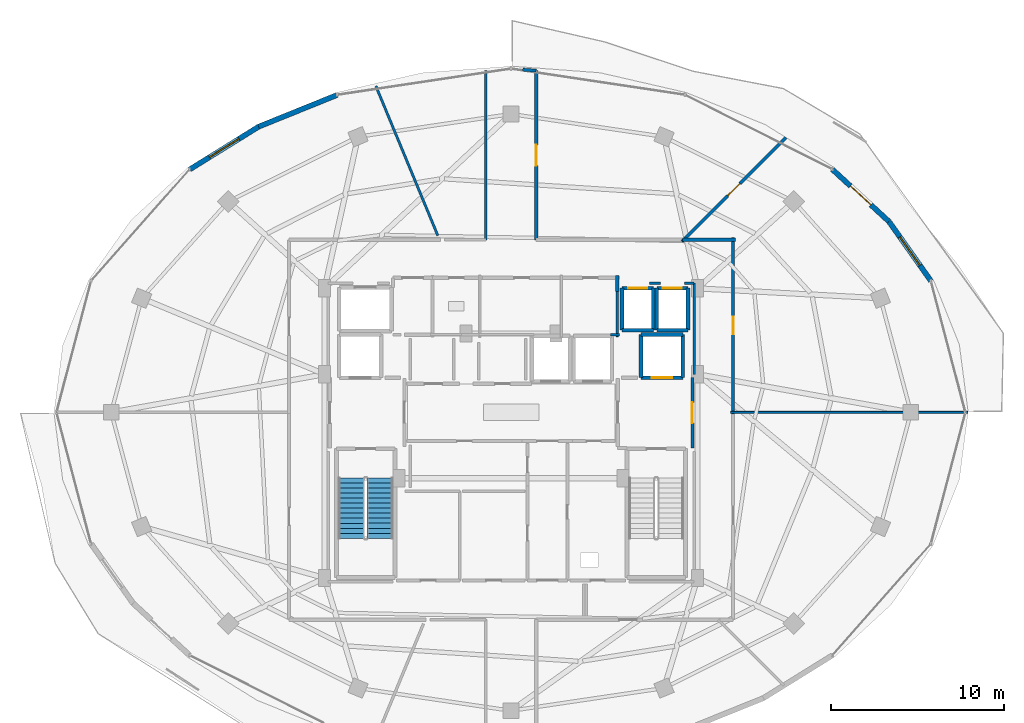
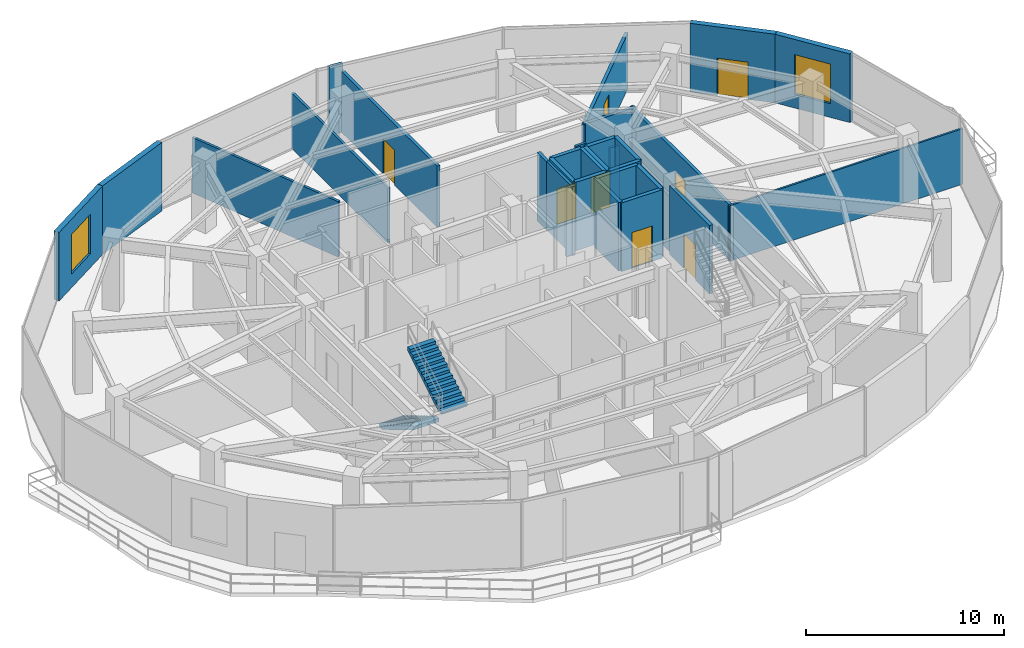
# One storey, part 23 of 27: 31 walls, 8 doors, 2 stair flights, 2 windows, 10 openings, 1 element without a shape of its own.
"""IFC4 building model written with IfcOpenShell, lengths in metres."""

import ifcopenshell
import ifcopenshell.guid

model = None  # the IFC model being written
_history = None  # IfcOwnerHistory: only IFC2X3 demands one
_inside = {}  # id of a spatial element -> (the spatial element, [elements in it])
_under = {}  # id of a project, library or spatial element -> (it, [spatial elements below it])
_declared = {}  # id of a project -> (the project, [libraries it declares])
_typed = {}  # id of a type object -> (the type object, [elements of that type])
_made_of = {}  # id of a material, layer set ... -> (it, [elements and type objects made of it])


def new_model(schema):
    """Start an empty IFC model of exactly this schema.

    Asked for "IFC4X3", IfcOpenShell would pick the latest addendum, in which some entities
    have other attributes; the version numbers below select the first issue.
    IFC2X3 requires an IfcOwnerHistory on every rooted entity: one is made here for all.
    """
    global model, _history
    if schema == "IFC4X3":
        model = ifcopenshell.file(schema_version=(4, 3, 0, 0))
    else:
        model = ifcopenshell.file(schema=schema)
    _inside.clear()
    _under.clear()
    _declared.clear()
    _typed.clear()
    _made_of.clear()
    _history = None
    if model.schema == "IFC2X3":
        org = make("IfcOrganization", Name="unknown")
        user = make(
            "IfcPersonAndOrganization",
            ThePerson=make("IfcPerson", FamilyName="unknown"),
            TheOrganization=org,
        )
        app = make(
            "IfcApplication",
            ApplicationDeveloper=org,
            Version="unknown",
            ApplicationFullName="unknown",
            ApplicationIdentifier="unknown",
        )
        _history = make(
            "IfcOwnerHistory",
            OwningUser=user,
            OwningApplication=app,
            ChangeAction="ADDED",
            CreationDate=0,
        )
    return model


def make(cls, **values):
    """One entity of the class cls with the attributes given. An attribute that is None is left unset."""
    return model.create_entity(
        cls, **{name: value for name, value in values.items() if value is not None}
    )


def rooted(cls, **values):
    """An entity with a GlobalId (a new one), such as an element, a storey or a relation."""
    return make(cls, GlobalId=ifcopenshell.guid.new(), OwnerHistory=_history, **values)


def si_unit(unit_type, name, prefix=None):
    """IfcSIUnit, for example si_unit("LENGTHUNIT", "METRE", prefix="MILLI")."""
    return make("IfcSIUnit", UnitType=unit_type, Prefix=prefix, Name=name)


def assignment(units):
    """IfcUnitAssignment: the units of a project."""
    return None if units is None else make("IfcUnitAssignment", Units=units)


def point(xyz):
    """IfcCartesianPoint."""
    return None if xyz is None else make("IfcCartesianPoint", Coordinates=xyz)


def direction(xyz):
    """IfcDirection."""
    return None if xyz is None else make("IfcDirection", DirectionRatios=xyz)


def frame(location, z_axis=None, x_axis=None):
    """IfcAxis2Placement3D, a coordinate frame: its origin and axes. An axis left out is left unset."""
    return make(
        "IfcAxis2Placement3D",
        Location=point(location),
        Axis=direction(z_axis),
        RefDirection=direction(x_axis),
    )


def frame_2d(location, x_axis=None):
    """IfcAxis2Placement2D, a coordinate frame in the plane: its origin and x axis."""
    return make(
        "IfcAxis2Placement2D", Location=point(location), RefDirection=direction(x_axis)
    )


def origin():
    """The frame at (0, 0, 0) with its axes left unset."""
    return frame((0.0, 0.0, 0.0))


def place(relative_to, where):
    """IfcLocalPlacement: puts the frame where relative to a parent placement (None: the world)."""
    return make(
        "IfcLocalPlacement", PlacementRelTo=relative_to, RelativePlacement=where
    )


def context(
    kind, dimensions, precision=None, world=None, true_north=None, identifier=None
):
    """IfcGeometricRepresentationContext, for example the 3D "Model" context."""
    return make(
        "IfcGeometricRepresentationContext",
        ContextIdentifier=identifier,
        ContextType=kind,
        CoordinateSpaceDimension=dimensions,
        Precision=precision,
        WorldCoordinateSystem=world,
        TrueNorth=true_north,
    )


def subcontext(parent, identifier, kind, view, scale=None):
    """IfcGeometricRepresentationSubContext, for example "Body" below "Model"."""
    return make(
        "IfcGeometricRepresentationSubContext",
        ContextIdentifier=identifier,
        ContextType=kind,
        ParentContext=parent,
        TargetScale=scale,
        TargetView=view,
    )


def project(units=None, contexts=None):
    """IfcProject with its units and contexts."""
    return rooted(
        "IfcProject",
        Name="project",
        RepresentationContexts=contexts,
        UnitsInContext=assignment(units),
    )


def spatial(cls, under=None, at=None, **own):
    """A site, building, storey or space (cls), placed at a placement, below another one or the project."""
    s = rooted(cls, ObjectPlacement=at, **own)
    if under is not None:
        _under.setdefault(under.id(), (under, []))[1].append(s)
    return s


def polyline(points):
    """IfcPolyline through the points."""
    return make("IfcPolyline", Points=[point(p) for p in points])


def profile(cls, at=None, kind="AREA", **sizes):
    """A parametric profile (cls). Its sizes go by their IFC names, for example OverallWidth=200.0."""
    return make(cls, ProfileType=kind, Position=at, **sizes)


def rectangle(**sizes):
    """IfcRectangleProfileDef."""
    return profile("IfcRectangleProfileDef", **sizes)


def outline(outer, holes=None, kind="AREA"):
    """IfcArbitraryClosedProfileDef: a profile drawn as a closed curve; with holes, ...WithVoids."""
    if holes is None:
        return make("IfcArbitraryClosedProfileDef", ProfileType=kind, OuterCurve=outer)
    return make(
        "IfcArbitraryProfileDefWithVoids",
        ProfileType=kind,
        OuterCurve=outer,
        InnerCurves=holes,
    )


def extrude(swept, where, along, depth):
    """IfcExtrudedAreaSolid: the profile swept, set in the frame where, extruded along a direction by depth."""
    return make(
        "IfcExtrudedAreaSolid",
        SweptArea=swept,
        Position=where,
        ExtrudedDirection=direction(along),
        Depth=depth,
    )


def shape(context_of_items, identifier, shape_type, items):
    """IfcShapeRepresentation: the items that make up one representation, for example the "Body"."""
    return make(
        "IfcShapeRepresentation",
        ContextOfItems=context_of_items,
        RepresentationIdentifier=identifier,
        RepresentationType=shape_type,
        Items=items,
    )


def material(Name=None, Category=None):
    """IfcMaterial."""
    return make("IfcMaterial", Name=Name, Category=Category)


def layer(
    of_material, thickness, ventilated=None, Name=None, Category=None, Priority=None
):
    """IfcMaterialLayer: one layer of a wall or slab, of a material (None: an air gap)."""
    return make(
        "IfcMaterialLayer",
        Material=of_material,
        LayerThickness=thickness,
        IsVentilated=ventilated,
        Name=Name,
        Category=Category,
        Priority=Priority,
    )


def layer_set(layers, Name=None):
    """IfcMaterialLayerSet."""
    return make("IfcMaterialLayerSet", MaterialLayers=layers, LayerSetName=Name)


def made_of(thing, what):
    """Note that an element or type object is made of a material, layer set ...; save() writes the relation."""
    if what is not None:
        _made_of.setdefault(what.id(), (what, []))[1].append(thing)
    return thing


def type_object(cls, material=None, **own):
    """A type object (cls), such as IfcWallType, which elements share."""
    return made_of(rooted(cls, **own), material)


def element(
    cls,
    number,
    at=None,
    inside=None,
    cuts=None,
    type_object=None,
    material=None,
    context=None,
    identifier="Body",
    shape_type=None,
    held_by="IfcProductDefinitionShape",
    body=None,
    shapes=None,
    **own,
):
    """One element of the class cls, such as IfcWall. Its Tag is "e" and its number.

    at: its placement. inside: the storey or other place that contains it. cuts: it is an
    opening in that element (IfcRelVoidsElement). A single representation is given by context,
    identifier, shape_type and body (its items); several are given by shapes. held_by: the class
    of the entity that holds the representations. save() writes the other relations.
    """
    e = rooted(cls, Tag="e%d" % number, ObjectPlacement=at, **own)
    if body is not None:
        shapes = [shape(context, identifier, shape_type, body)]
    if shapes is not None:
        e.Representation = make(held_by, Representations=shapes)
    if inside is not None:
        _inside.setdefault(inside.id(), (inside, []))[1].append(e)
    if cuts is not None:
        rooted(
            "IfcRelVoidsElement", RelatingBuildingElement=cuts, RelatedOpeningElement=e
        )
    if type_object is not None:
        _typed.setdefault(type_object.id(), (type_object, []))[1].append(e)
    return made_of(e, material)


def fill(opening, filler):
    """IfcRelFillsElement: the door or window that sits in an opening."""
    return rooted(
        "IfcRelFillsElement",
        RelatingOpeningElement=opening,
        RelatedBuildingElement=filler,
    )


def aggregate(whole, parts):
    """IfcRelAggregates: a whole, such as a stair, and the parts it consists of."""
    return rooted("IfcRelAggregates", RelatingObject=whole, RelatedObjects=parts)


def save(model, path):
    """Write the relations noted so far, then the file.

    IfcRelAggregates (storeys below a building ...), IfcRelContainedInSpatialStructure (elements
    in a storey), IfcRelDefinesByType, IfcRelAssociatesMaterial and IfcRelDeclares: one each for
    every whole, place, type object, material and project.
    """
    for whole, parts in _under.values():
        aggregate(whole, parts)
    for where, things in _inside.values():
        rooted(
            "IfcRelContainedInSpatialStructure",
            RelatedElements=things,
            RelatingStructure=where,
        )
    for kind, things in _typed.values():
        rooted("IfcRelDefinesByType", RelatedObjects=things, RelatingType=kind)
    for what, things in _made_of.values():
        rooted("IfcRelAssociatesMaterial", RelatedObjects=things, RelatingMaterial=what)
    for by, libraries in _declared.values():
        rooted("IfcRelDeclares", RelatingContext=by, RelatedDefinitions=libraries)
    model.write(path)


model = new_model("IFC4")

# Units and contexts
model_context = context("Model", 3, precision=1e-05, world=origin(), true_north=direction((0.0, 1.0)))
body_context = subcontext(model_context, "Body", "Model", "MODEL_VIEW")
ifc_project = project(units=[si_unit("LENGTHUNIT", "METRE"), si_unit("AREAUNIT", "SQUARE_METRE"), si_unit("VOLUMEUNIT", "CUBIC_METRE"), si_unit("PLANEANGLEUNIT", "RADIAN"), si_unit("MASSUNIT", "GRAM", prefix="KILO")], contexts=[model_context])

# Site, building, storey
site_placement = place(None, origin())
site = spatial("IfcSite", under=ifc_project, at=site_placement, CompositionType="ELEMENT")
building_placement = place(site_placement, origin())
building = spatial("IfcBuilding", under=site, at=building_placement, Name="Vorneva Point Tower", CompositionType="ELEMENT")
storey_placement = place(building_placement, frame((0.0, 0.0, 229.75)))
storey = spatial("IfcBuildingStorey", under=building, at=storey_placement, Name="L62", CompositionType="ELEMENT", Elevation=229.75)

# Wall, opening, door
ifc_material_1 = material(Name="Concrete B60 (C50/60)", Category="concrete")
ifc_layer_1 = layer(ifc_material_1, 0.35009765625)
ifc_layer_set_1 = layer_set([ifc_layer_1], Name="Concrete B60 (C50/60)")
wall_type_1 = type_object("IfcWallType", Name="WL-CORE-350", PredefinedType="SHEAR", material=ifc_layer_set_1)
wall_1_placement = place(storey_placement, frame((45.5, 28.0, 0.0), z_axis=(0.0, 0.0, 1.0), x_axis=(1.0, 0.0, 0.0)))
wall_1 = element("IfcWall", 1, at=wall_1_placement, inside=storey, type_object=wall_type_1, Name="L62 Lift FFL2 Shaft Wall -Y", PredefinedType="SHEAR", context=body_context, shape_type="SweptSolid", body=[
    extrude(rectangle(XDim=2.39990234375, YDim=0.219970703125, at=frame_2d((1.199951171875, 0.0))), origin(), (0.0, 0.0, 1.0), 4.239990234375),
])
opening_1_placement = place(wall_1_placement, frame((0.60009765625, 0.0, 0.0)))
opening_1 = element("IfcOpeningElement", 2, at=opening_1_placement, cuts=wall_1, Name="Opening LD-02", PredefinedType="OPENING", context=body_context, shape_type="SweptSolid", body=[
    extrude(rectangle(XDim=1.199951171875, YDim=2.199951171875, at=frame_2d((0.60009765625, 1.10009765625))), frame((0.0, 0.125, 0.0), z_axis=(0.0, -1.0, 0.0), x_axis=(1.0, 0.0, 0.0)), (0.0, 0.0, 1.0), 0.249755859375),
])
ifc_material_2 = material(Name="Brushed stainless steel S304", Category="steel")
door_type_1 = type_object("IfcDoorType", Name="LD-FIRE-1200", OperationType="SLIDING_TO_LEFT", PredefinedType="DOOR", material=ifc_material_2)
door_1_placement = place(opening_1_placement, origin())
door_1 = element("IfcDoor", 3, at=door_1_placement, inside=storey, type_object=door_type_1, Name="L62 Lift FFL2 Sliding Landing Door", OperationType="SLIDING_TO_LEFT", OverallHeight=2.199951171875, OverallWidth=1.199951171875, PredefinedType="DOOR", context=body_context, shape_type="SweptSolid", body=[
    extrude(rectangle(XDim=1.199951171875, YDim=2.199951171875, at=frame_2d((0.60009765625, 1.10009765625))), frame((0.0, 0.02490234375, 0.0), z_axis=(0.0, -1.0, 0.0), x_axis=(1.0, 0.0, 0.0)), (0.0, 0.0, 1.0), 0.050048828125),
])
fill(opening_1, door_1)

# Walls
wall_2_placement = place(storey_placement, frame((47.89990234375, 28.0, 0.0), z_axis=(0.0, 0.0, 1.0), x_axis=(0.0, 1.0, 0.0)))
element("IfcWall", 4, at=wall_2_placement, inside=storey, type_object=wall_type_1, Name="L62 Lift FFL2 Shaft Wall +X", PredefinedType="SHEAR", context=body_context, shape_type="SweptSolid", body=[
    extrude(rectangle(XDim=2.5, YDim=0.219970703125, at=frame_2d((1.25, 0.0))), origin(), (0.0, 0.0, 1.0), 4.239990234375),
])
wall_3_placement = place(storey_placement, frame((47.89990234375, 30.5, 0.0), z_axis=(0.0, 0.0, 1.0), x_axis=(-1.0, 0.0, 0.0)))
element("IfcWall", 5, at=wall_3_placement, inside=storey, type_object=wall_type_1, Name="L62 Lift FFL2 Shaft Wall +Y", PredefinedType="SHEAR", context=body_context, shape_type="SweptSolid", body=[
    extrude(rectangle(XDim=2.39990234375, YDim=0.219970703125, at=frame_2d((1.199951171875, 0.0))), origin(), (0.0, 0.0, 1.0), 4.239990234375),
])
wall_4_placement = place(storey_placement, frame((45.5, 30.5, 0.0), z_axis=(0.0, 0.0, 1.0), x_axis=(0.0, -1.0, 0.0)))
element("IfcWall", 6, at=wall_4_placement, inside=storey, type_object=wall_type_1, Name="L62 Lift FFL2 Shaft Wall -X", PredefinedType="SHEAR", context=body_context, shape_type="SweptSolid", body=[
    extrude(rectangle(XDim=2.5, YDim=0.219970703125, at=frame_2d((1.25, 0.0))), origin(), (0.0, 0.0, 1.0), 4.239990234375),
])

# Wall, opening, window
ifc_material_3 = material(Name="Precast concrete B50 (C40/50)", Category="concrete")
ifc_layer_2 = layer(ifc_material_3, 0.300048828125)
ifc_layer_set_2 = layer_set([ifc_layer_2], Name="Precast concrete B50 (C40/50)")
wall_type_2 = type_object("IfcWallType", Name="WL-EXT-300", PredefinedType="STANDARD", material=ifc_layer_set_2)
wall_5_placement = place(storey_placement, frame((62.20556640625, 33.5810546875, 0.0), z_axis=(0.0, 0.0, 1.0), x_axis=(-0.577261247247, 0.816559521668, 0.0)))
wall_5 = element("IfcWall", 7, at=wall_5_placement, inside=storey, type_object=wall_type_2, Name="L62 Pale-Metal Facade Spandrel Wall 02.1", PredefinedType="STANDARD", context=body_context, shape_type="SweptSolid", body=[
    extrude(rectangle(XDim=4.194091796875, YDim=0.300048828125, at=frame_2d((2.09716796875, 0.0))), origin(), (0.0, 0.0, 1.0), 4.239990234375),
])
opening_2_placement = place(wall_5_placement, frame((1.09716796875, 0.0, 0.85009765625)))
opening_2 = element("IfcOpeningElement", 8, at=opening_2_placement, cuts=wall_5, Name="Opening W-07", PredefinedType="OPENING", context=body_context, shape_type="SweptSolid", body=[
    extrude(rectangle(XDim=2.0, YDim=2.449951171875, at=frame_2d((1.0, 1.22509765625))), frame((0.0, 0.1650390625, 0.0), z_axis=(0.0, -1.0, 0.0), x_axis=(1.0, 0.0, 0.0)), (0.0, 0.0, 1.0), 0.329833984375),
])
ifc_material_4 = material(Name="Double low-e laminated glass IGU", Category="glass")
window_type = type_object("IfcWindowType", Name="WN-SKY-2000", PartitioningType="SINGLE_PANEL", PredefinedType="WINDOW", material=ifc_material_4)
window_1_placement = place(opening_2_placement, origin())
window_1 = element("IfcWindow", 9, at=window_1_placement, inside=storey, type_object=window_type, Name="L62 Facade Window 02", OverallHeight=2.449951171875, OverallWidth=2.0, PartitioningType="SINGLE_PANEL", PredefinedType="WINDOW", context=body_context, shape_type="SweptSolid", body=[
    extrude(rectangle(XDim=2.0, YDim=2.449951171875, at=frame_2d((1.0, 1.22509765625))), frame((0.0, 0.030029296875, 0.0), z_axis=(0.0, -1.0, 0.0), x_axis=(1.0, 0.0, 0.0)), (0.0, 0.0, 1.0), 0.06005859375),
])
fill(opening_2, window_1)

# Wall, opening, door
wall_6_placement = place(storey_placement, frame((59.784423828125, 37.005859375, 0.0), z_axis=(0.0, 0.0, 1.0), x_axis=(-0.735445373611, 0.677584018727, 0.0)))
wall_6 = element("IfcWall", 10, at=wall_6_placement, inside=storey, type_object=wall_type_2, Name="L62 Pale-Metal Facade Spandrel Wall 02.2", PredefinedType="STANDARD", context=body_context, shape_type="SweptSolid", body=[
    extrude(rectangle(XDim=4.430419921875, YDim=0.300048828125, at=frame_2d((2.21533203125, 0.0))), origin(), (0.0, 0.0, 1.0), 4.239990234375),
])
opening_3_placement = place(wall_6_placement, frame((1.415283203125, 0.0, 0.0)))
opening_3 = element("IfcOpeningElement", 11, at=opening_3_placement, cuts=wall_6, Name="Opening BD-01", PredefinedType="OPENING", context=body_context, shape_type="SweptSolid", body=[
    extrude(rectangle(XDim=1.60009765625, YDim=2.300048828125, at=frame_2d((0.800048828125, 1.14990234375))), frame((0.0, 0.1650390625, 0.0), z_axis=(0.0, -1.0, 0.0), x_axis=(1.0, 0.0, 0.0)), (0.0, 0.0, 1.0), 0.329833984375),
])
ifc_material_5 = material(Name="Pale anodised aluminium", Category="aluminium")
door_type_2 = type_object("IfcDoorType", Name="DR-BAL-1600", OperationType="SLIDING_TO_LEFT", PredefinedType="DOOR", material=ifc_material_5)
door_2_placement = place(opening_3_placement, origin())
door_2 = element("IfcDoor", 12, at=door_2_placement, inside=storey, type_object=door_type_2, Name="L62 Balcony Terrace Access Door 02", OperationType="SLIDING_TO_LEFT", OverallHeight=2.300048828125, OverallWidth=1.60009765625, PredefinedType="DOOR", context=body_context, shape_type="SweptSolid", body=[
    extrude(rectangle(XDim=1.60009765625, YDim=2.300048828125, at=frame_2d((0.800048828125, 1.14990234375))), frame((0.0, 0.02490234375, 0.0), z_axis=(0.0, -1.0, 0.0), x_axis=(1.0, 0.0, 0.0)), (0.0, 0.0, 1.0), 0.050048828125),
])
fill(opening_3, door_2)

# Wall
wall_7_placement = place(storey_placement, frame((27.9736328125, 44.302001953125, 0.0), z_axis=(0.0, 0.0, 1.0), x_axis=(-0.927147375511, -0.374696869594, 0.0)))
element("IfcWall", 13, at=wall_7_placement, inside=storey, type_object=wall_type_2, Name="L62 Pale-Metal Facade Spandrel Wall 06.1", PredefinedType="STANDARD", context=body_context, shape_type="SweptSolid", body=[
    extrude(rectangle(XDim=4.885498046875, YDim=0.300048828125, at=frame_2d((2.44287109375, 0.0))), origin(), (0.0, 0.0, 1.0), 4.239990234375),
])

# Wall, opening, window
wall_8_placement = place(storey_placement, frame((23.444091796875, 42.471435546875, 0.0), z_axis=(0.0, 0.0, 1.0), x_axis=(-0.849702323036, -0.527262707032, 0.0)))
wall_8 = element("IfcWall", 14, at=wall_8_placement, inside=storey, type_object=wall_type_2, Name="L62 Pale-Metal Facade Spandrel Wall 06.2", PredefinedType="STANDARD", context=body_context, shape_type="SweptSolid", body=[
    extrude(rectangle(XDim=4.67236328125, YDim=0.300048828125, at=frame_2d((2.336181640625, 0.0))), origin(), (0.0, 0.0, 1.0), 4.239990234375),
])
opening_4_placement = place(wall_8_placement, frame((1.336181640625, 0.0, 0.85009765625)))
opening_4 = element("IfcOpeningElement", 15, at=opening_4_placement, cuts=wall_8, Name="Opening W-07", PredefinedType="OPENING", context=body_context, shape_type="SweptSolid", body=[
    extrude(rectangle(XDim=2.0, YDim=2.449951171875, at=frame_2d((1.0, 1.22509765625))), frame((0.0, 0.1650390625, 0.0), z_axis=(0.0, -1.0, 0.0), x_axis=(1.0, 0.0, 0.0)), (0.0, 0.0, 1.0), 0.329833984375),
])
window_2_placement = place(opening_4_placement, origin())
window_2 = element("IfcWindow", 16, at=window_2_placement, inside=storey, type_object=window_type, Name="L62 Facade Window 06", OverallHeight=2.449951171875, OverallWidth=2.0, PartitioningType="SINGLE_PANEL", PredefinedType="WINDOW", context=body_context, shape_type="SweptSolid", body=[
    extrude(rectangle(XDim=2.0, YDim=2.449951171875, at=frame_2d((1.0, 1.22509765625))), frame((0.0, 0.030029296875, 0.0), z_axis=(0.0, -1.0, 0.0), x_axis=(1.0, 0.0, 0.0)), (0.0, 0.0, 1.0), 0.06005859375),
])
fill(opening_4, window_2)

# Walls
ifc_material_6 = material(Name="Fire-rated acoustic gypsum stud partition", Category="gypsum")
ifc_layer_3 = layer(ifc_material_6, 0.110107421875)
ifc_layer_set_3 = layer_set([ifc_layer_3], Name="Fire-rated acoustic gypsum stud partition")
wall_type_3 = type_object("IfcWallType", Name="WL-PART-110", PredefinedType="PARTITIONING", material=ifc_layer_set_3)
wall_9_placement = place(storey_placement, frame((64.339111328125, 26.0, 0.0), z_axis=(0.0, 0.0, 1.0), x_axis=(-1.0, 0.0, 0.0)))
element("IfcWall", 17, at=wall_9_placement, inside=storey, type_object=wall_type_3, Name="L62 Interior Partition 050", PredefinedType="PARTITIONING", context=body_context, shape_type="SweptSolid", body=[
    extrude(rectangle(XDim=13.67919921875, YDim=0.110107421875, at=frame_2d((6.839599609375, 0.0))), origin(), (0.0, 0.0, 1.0), 3.431884765625),
])
ifc_layer_4 = layer(ifc_material_6, 0.139892578125)
ifc_layer_set_4 = layer_set([ifc_layer_4], Name="Fire-rated acoustic gypsum stud partition")
wall_type_4 = type_object("IfcWallType", Name="WL-PART-140", PredefinedType="PARTITIONING", material=ifc_layer_set_4)
wall_10_placement = place(storey_placement, frame((43.735107421875, 30.47998046875, 0.0), z_axis=(0.0, 0.0, 1.0), x_axis=(1.0, 0.0, 0.0)))
element("IfcWall", 18, at=wall_10_placement, inside=storey, type_object=wall_type_4, Name="L62 Interior Closure Partition 055", PredefinedType="PARTITIONING", context=body_context, shape_type="SweptSolid", body=[
    extrude(rectangle(XDim=0.52490234375, YDim=0.139892578125, at=frame_2d((0.262451171875, 0.0))), origin(), (0.0, 0.0, 1.0), 4.239990234375),
])
wall_11_placement = place(storey_placement, frame((44.1201171875, 30.340087890625, 0.0), z_axis=(0.0, 0.0, 1.0), x_axis=(0.0, 1.0, 0.0)))
element("IfcWall", 19, at=wall_11_placement, inside=storey, type_object=wall_type_4, Name="L62 Interior Closure Partition 056", PredefinedType="PARTITIONING", context=body_context, shape_type="SweptSolid", body=[
    extrude(rectangle(XDim=2.659912109375, YDim=0.139892578125, at=frame_2d((1.330078125, 0.0))), origin(), (0.0, 0.0, 1.0), 4.239990234375),
])
wall_12_placement = place(storey_placement, frame((36.550048828125, 45.700927734375, 0.0), z_axis=(0.0, 0.0, 1.0), x_axis=(0.0, -1.0, 0.0)))
element("IfcWall", 20, at=wall_12_placement, inside=storey, type_object=wall_type_4, Name="L62 Interior Closure Partition 062", PredefinedType="PARTITIONING", context=body_context, shape_type="SweptSolid", body=[
    extrude(rectangle(XDim=9.7509765625, YDim=0.139892578125, at=frame_2d((4.87548828125, 0.0))), origin(), (0.0, 0.0, 1.0), 3.431884765625),
])
wall_13_placement = place(storey_placement, frame((48.550048828125, 28.196044921875, 0.0), z_axis=(0.0, 0.0, 1.0), x_axis=(0.0, 1.0, 0.0)))
element("IfcWall", 21, at=wall_13_placement, inside=storey, type_object=wall_type_4, Name="L62 Interior Closure Partition 069", PredefinedType="PARTITIONING", context=body_context, shape_type="SweptSolid", body=[
    extrude(rectangle(XDim=5.25390625, YDim=0.139892578125, at=frame_2d((2.626953125, 0.0))), origin(), (0.0, 0.0, 1.0), 3.431884765625),
])
wall_14_placement = place(storey_placement, frame((48.550048828125, 33.449951171875, 0.0), z_axis=(0.0, 0.0, 1.0), x_axis=(-1.0, 0.0, 0.0)))
element("IfcWall", 22, at=wall_14_placement, inside=storey, type_object=wall_type_4, Name="L62 Interior Closure Partition 070", PredefinedType="PARTITIONING", context=body_context, shape_type="SweptSolid", body=[
    extrude(rectangle(XDim=0.55908203125, YDim=0.139892578125, at=frame_2d((0.279541015625, 0.0))), origin(), (0.0, 0.0, 1.0), 3.431884765625),
])
wall_15_placement = place(storey_placement, frame((46.60888671875, 33.449951171875, 0.0), z_axis=(0.0, 0.0, 1.0), x_axis=(-1.0, 0.0, 0.0)))
element("IfcWall", 23, at=wall_15_placement, inside=storey, type_object=wall_type_4, Name="L62 Interior Closure Partition 071", PredefinedType="PARTITIONING", context=body_context, shape_type="SweptSolid", body=[
    extrude(rectangle(XDim=0.617919921875, YDim=0.139892578125, at=frame_2d((0.30908203125, 0.0))), origin(), (0.0, 0.0, 1.0), 4.239990234375),
])
wall_16_placement = place(storey_placement, frame((33.779052734375, 36.19091796875, 0.0), z_axis=(0.0, 0.0, 1.0), x_axis=(-0.382742241568, 0.923855170749, 0.0)))
element("IfcWall", 24, at=wall_16_placement, inside=storey, type_object=wall_type_4, Name="L62 Interior Closure Partition 078", PredefinedType="PARTITIONING", context=body_context, shape_type="SweptSolid", body=[
    extrude(rectangle(XDim=9.332763671875, YDim=0.139892578125, at=frame_2d((4.66650390625, 0.0))), origin(), (0.0, 0.0, 1.0), 3.431884765625),
])

# Wall, opening, door
ifc_material_7 = material(Name="Autoclaved aerated concrete blockwork", Category="masonry")
ifc_layer_5 = layer(ifc_material_7, 0.179931640625)
ifc_layer_set_5 = layer_set([ifc_layer_5], Name="Autoclaved aerated concrete blockwork")
wall_type_5 = type_object("IfcWallType", Name="WL-PART-180", PredefinedType="PARTITIONING", material=ifc_layer_set_5)
wall_17_placement = place(storey_placement, frame((48.449951171875, 23.949951171875, 0.0), z_axis=(0.0, 0.0, 1.0), x_axis=(0.0, 1.0, 0.0)))
wall_17 = element("IfcWall", 25, at=wall_17_placement, inside=storey, type_object=wall_type_5, Name="L62 Interior Partition 005", PredefinedType="PARTITIONING", context=body_context, shape_type="SweptSolid", body=[
    extrude(rectangle(XDim=4.050048828125, YDim=0.179931640625, at=frame_2d((2.02490234375, 0.0))), origin(), (0.0, 0.0, 1.0), 4.239990234375),
])
opening_5_placement = place(wall_17_placement, frame((1.425048828125, 0.0, 0.0)))
opening_5 = element("IfcOpeningElement", 26, at=opening_5_placement, cuts=wall_17, Name="Opening FD-02", PredefinedType="OPENING", context=body_context, shape_type="SweptSolid", body=[
    extrude(rectangle(XDim=1.199951171875, YDim=2.14990234375, at=frame_2d((0.60009765625, 1.074951171875))), frame((0.0, 0.10498046875, 0.0), z_axis=(0.0, -1.0, 0.0), x_axis=(1.0, 0.0, 0.0)), (0.0, 0.0, 1.0), 0.209716796875),
])
ifc_material_8 = material(Name="Fire-rated powder-coated steel", Category="steel")
door_type_3 = type_object("IfcDoorType", Name="DR-FFL-1200", OperationType="NOTDEFINED", PredefinedType="DOOR", material=ifc_material_8)
door_3_placement = place(opening_5_placement, origin())
door_3 = element("IfcDoor", 27, at=door_3_placement, inside=storey, type_object=door_type_3, Name="L62 Door East Firefighting Lobby / L62 Circulation Corridor", OperationType="SINGLE_SWING_LEFT", OverallHeight=2.14990234375, OverallWidth=1.199951171875, PredefinedType="DOOR", context=body_context, shape_type="SweptSolid", body=[
    extrude(rectangle(XDim=1.199951171875, YDim=2.14990234375, at=frame_2d((0.60009765625, 1.074951171875))), frame((0.0, 0.02490234375, 0.0), z_axis=(0.0, -1.0, 0.0), x_axis=(1.0, 0.0, 0.0)), (0.0, 0.0, 1.0), 0.050048828125),
])
fill(opening_5, door_3)

# Walls
wall_18_placement = place(storey_placement, frame((44.1201171875, 32.969970703125, 0.0), z_axis=(0.0, 0.0, 1.0), x_axis=(0.0, 1.0, 0.0)))
element("IfcWall", 28, at=wall_18_placement, inside=storey, type_object=wall_type_5, Name="L62 Interior Partition 027", PredefinedType="PARTITIONING", context=body_context, shape_type="SweptSolid", body=[
    extrude(rectangle(XDim=0.929931640625, YDim=0.179931640625, at=frame_2d((0.46484375, 0.0))), origin(), (0.0, 0.0, 1.0), 4.239990234375),
])
wall_19_placement = place(storey_placement, frame((39.449951171875, 45.700927734375, 0.0), z_axis=(0.0, 0.0, 1.0), x_axis=(-0.997136622012, 0.0756211415, 0.0)))
element("IfcWall", 29, at=wall_19_placement, inside=storey, type_object=wall_type_5, Name="L62 Interior Partition 033", PredefinedType="PARTITIONING", context=body_context, shape_type="SweptSolid", body=[
    extrude(rectangle(XDim=0.78125, YDim=0.179931640625, at=frame_2d((0.390625, 0.0))), origin(), (0.0, 0.0, 1.0), 4.239990234375),
])

# Wall, opening, door
wall_20_placement = place(storey_placement, frame((39.449951171875, 35.949951171875, 0.0), z_axis=(0.0, 0.0, 1.0), x_axis=(0.0, 1.0, 0.0)))
wall_20 = element("IfcWall", 30, at=wall_20_placement, inside=storey, type_object=wall_type_5, Name="L62 Interior Partition 035", PredefinedType="PARTITIONING", context=body_context, shape_type="SweptSolid", body=[
    extrude(rectangle(XDim=9.7509765625, YDim=0.179931640625, at=frame_2d((4.87548828125, 0.0))), origin(), (0.0, 0.0, 1.0), 3.77392578125),
])
opening_6_placement = place(wall_20_placement, frame((4.275390625, 0.0, 0.0)))
opening_6 = element("IfcOpeningElement", 31, at=opening_6_placement, cuts=wall_20, Name="Opening FD-02", PredefinedType="OPENING", context=body_context, shape_type="SweptSolid", body=[
    extrude(rectangle(XDim=1.199951171875, YDim=2.14990234375, at=frame_2d((0.60009765625, 1.074951171875))), frame((0.0, 0.10498046875, 0.0), z_axis=(0.0, -1.0, 0.0), x_axis=(1.0, 0.0, 0.0)), (0.0, 0.0, 1.0), 0.209716796875),
])
door_4_placement = place(opening_6_placement, origin())
door_4 = element("IfcDoor", 32, at=door_4_placement, inside=storey, type_object=door_type_3, Name="L62 Door L62 Circulation Corridor / Transfer Sky Lobby L62", OperationType="SINGLE_SWING_RIGHT", OverallHeight=2.14990234375, OverallWidth=1.199951171875, PredefinedType="DOOR", context=body_context, shape_type="SweptSolid", body=[
    extrude(rectangle(XDim=1.199951171875, YDim=2.14990234375, at=frame_2d((0.60009765625, 1.074951171875))), frame((0.0, 0.02490234375, 0.0), z_axis=(0.0, -1.0, 0.0), x_axis=(1.0, 0.0, 0.0)), (0.0, 0.0, 1.0), 0.050048828125),
])
fill(opening_6, door_4)

wall_21_placement = place(storey_placement, frame((50.800048828125, 25.919921875, 0.0), z_axis=(0.0, 0.0, 1.0), x_axis=(0.0, 1.0, 0.0)))
wall_21 = element("IfcWall", 33, at=wall_21_placement, inside=storey, type_object=wall_type_5, Name="L62 Interior Partition 045", PredefinedType="PARTITIONING", context=body_context, shape_type="SweptSolid", body=[
    extrude(rectangle(XDim=10.170166015625, YDim=0.179931640625, at=frame_2d((5.0849609375, 0.0))), origin(), (0.0, 0.0, 1.0), 3.431884765625),
])
opening_7_placement = place(wall_21_placement, frame((4.5849609375, 0.0, 0.0)))
opening_7 = element("IfcOpeningElement", 34, at=opening_7_placement, cuts=wall_21, Name="Opening UD-01", PredefinedType="OPENING", context=body_context, shape_type="SweptSolid", body=[
    extrude(rectangle(XDim=1.0, YDim=2.14990234375, at=frame_2d((0.5, 1.074951171875))), frame((0.0, 0.10498046875, 0.0), z_axis=(0.0, -1.0, 0.0), x_axis=(1.0, 0.0, 0.0)), (0.0, 0.0, 1.0), 0.209716796875),
])
ifc_material_9 = material(Name="Engineered oak fire-rated door leaf", Category="wood")
door_type_4 = type_object("IfcDoorType", Name="DR-UNIT-1000", OperationType="NOTDEFINED", PredefinedType="DOOR", material=ifc_material_9)
door_5_placement = place(opening_7_placement, origin())
door_5 = element("IfcDoor", 35, at=door_5_placement, inside=storey, type_object=door_type_4, Name="L62 Door L62 Circulation Corridor / Concierge Pantry L62", OperationType="SINGLE_SWING_LEFT", OverallHeight=2.14990234375, OverallWidth=1.0, PredefinedType="DOOR", context=body_context, shape_type="SweptSolid", body=[
    extrude(rectangle(XDim=1.0, YDim=2.14990234375, at=frame_2d((0.5, 1.074951171875))), frame((0.0, 0.02490234375, 0.0), z_axis=(0.0, -1.0, 0.0), x_axis=(1.0, 0.0, 0.0)), (0.0, 0.0, 1.0), 0.050048828125),
])
fill(opening_7, door_5)

# Wall
wall_22_placement = place(storey_placement, frame((50.93994140625, 35.949951171875, 0.0), z_axis=(0.0, 0.0, 1.0), x_axis=(-1.0, 0.0, 0.0)))
element("IfcWall", 36, at=wall_22_placement, inside=storey, type_object=wall_type_5, Name="L62 Interior Partition 046", PredefinedType="PARTITIONING", context=body_context, shape_type="SweptSolid", body=[
    extrude(rectangle(XDim=3.044921875, YDim=0.179931640625, at=frame_2d((1.5224609375, 0.0))), origin(), (0.0, 0.0, 1.0), 3.431884765625),
])

# Wall, opening, door
wall_23_placement = place(storey_placement, frame((47.85107421875, 35.85107421875, 0.0), z_axis=(0.0, 0.0, 1.0), x_axis=(0.707106781187, 0.707106781187, 0.0)))
wall_23 = element("IfcWall", 37, at=wall_23_placement, inside=storey, type_object=wall_type_5, Name="L62 Interior Partition 047", PredefinedType="PARTITIONING", context=body_context, shape_type="SweptSolid", body=[
    extrude(rectangle(XDim=8.4638671875, YDim=0.179931640625, at=frame_2d((4.23193359375, 0.0))), origin(), (0.0, 0.0, 1.0), 3.431884765625),
])
opening_8_placement = place(wall_23_placement, frame((3.73193359375, 0.0, 0.0)))
opening_8 = element("IfcOpeningElement", 38, at=opening_8_placement, cuts=wall_23, Name="Opening UD-01", PredefinedType="OPENING", context=body_context, shape_type="SweptSolid", body=[
    extrude(rectangle(XDim=1.0, YDim=2.14990234375, at=frame_2d((0.5, 1.074951171875))), frame((0.0, 0.10498046875, 0.0), z_axis=(0.0, -1.0, 0.0), x_axis=(1.0, 0.0, 0.0)), (0.0, 0.0, 1.0), 0.209716796875),
])
door_6_placement = place(opening_8_placement, origin())
door_6 = element("IfcDoor", 39, at=door_6_placement, inside=storey, type_object=door_type_4, Name="L62 Door Transfer Sky Lobby L62 / Concierge Pantry L62", OperationType="SINGLE_SWING_RIGHT", OverallHeight=2.14990234375, OverallWidth=1.0, PredefinedType="DOOR", context=body_context, shape_type="SweptSolid", body=[
    extrude(rectangle(XDim=1.0, YDim=2.14990234375, at=frame_2d((0.5, 1.074951171875))), frame((0.0, 0.02490234375, 0.0), z_axis=(0.0, -1.0, 0.0), x_axis=(1.0, 0.0, 0.0)), (0.0, 0.0, 1.0), 0.050048828125),
])
fill(opening_8, door_6)

# Walls
ifc_material_10 = material(Name="Concrete B50 (C40/50)", Category="concrete")
ifc_layer_6 = layer(ifc_material_10, 0.219970703125)
ifc_layer_set_6 = layer_set([ifc_layer_6], Name="Concrete B50 (C40/50)")
wall_type_6 = type_object("IfcWallType", Name="WL-SHFT-220", PredefinedType="SOLIDWALL", material=ifc_layer_set_6)
wall_24_placement = place(storey_placement, frame((44.39990234375, 30.739990234375, 0.0), z_axis=(0.0, 0.0, 1.0), x_axis=(1.0, 0.0, 0.0)))
element("IfcWall", 40, at=wall_24_placement, inside=storey, type_object=wall_type_6, Name="L62 Lift EX1 Shaft Wall -Y", PredefinedType="SOLIDWALL", context=body_context, shape_type="SweptSolid", body=[
    extrude(rectangle(XDim=1.800048828125, YDim=0.219970703125, at=frame_2d((0.89990234375, 0.0))), origin(), (0.0, 0.0, 1.0), 4.239990234375),
])
wall_25_placement = place(storey_placement, frame((46.199951171875, 30.739990234375, 0.0), z_axis=(0.0, 0.0, 1.0), x_axis=(0.0, 1.0, 0.0)))
element("IfcWall", 41, at=wall_25_placement, inside=storey, type_object=wall_type_6, Name="L62 Lift EX1 Shaft Wall +X", PredefinedType="SOLIDWALL", context=body_context, shape_type="SweptSolid", body=[
    extrude(rectangle(XDim=2.419921875, YDim=0.219970703125, at=frame_2d((1.2099609375, 0.0))), origin(), (0.0, 0.0, 1.0), 4.239990234375),
])

# Wall, opening, door
wall_26_placement = place(storey_placement, frame((46.199951171875, 33.159912109375, 0.0), z_axis=(0.0, 0.0, 1.0), x_axis=(-1.0, 0.0, 0.0)))
wall_26 = element("IfcWall", 42, at=wall_26_placement, inside=storey, type_object=wall_type_6, Name="L62 Lift EX1 Shaft Wall +Y", PredefinedType="SOLIDWALL", context=body_context, shape_type="SweptSolid", body=[
    extrude(rectangle(XDim=1.800048828125, YDim=0.219970703125, at=frame_2d((0.89990234375, 0.0))), origin(), (0.0, 0.0, 1.0), 4.239990234375),
])
opening_9_placement = place(wall_26_placement, frame((0.35009765625, 0.0, 0.0)))
opening_9 = element("IfcOpeningElement", 43, at=opening_9_placement, cuts=wall_26, Name="Opening LD-01", PredefinedType="OPENING", context=body_context, shape_type="SweptSolid", body=[
    extrude(rectangle(XDim=1.10009765625, YDim=2.199951171875, at=frame_2d((0.550048828125, 1.10009765625))), frame((0.0, 0.125, 0.0), z_axis=(0.0, -1.0, 0.0), x_axis=(1.0, 0.0, 0.0)), (0.0, 0.0, 1.0), 0.249755859375),
])
door_type_5 = type_object("IfcDoorType", Name="LD-PASS-1100", OperationType="SLIDING_TO_LEFT", PredefinedType="DOOR", material=ifc_material_2)
door_7_placement = place(opening_9_placement, origin())
door_7 = element("IfcDoor", 44, at=door_7_placement, inside=storey, type_object=door_type_5, Name="L62 Lift EX1 Sliding Landing Door", OperationType="SLIDING_TO_LEFT", OverallHeight=2.199951171875, OverallWidth=1.10009765625, PredefinedType="DOOR", context=body_context, shape_type="SweptSolid", body=[
    extrude(rectangle(XDim=1.10009765625, YDim=2.199951171875, at=frame_2d((0.550048828125, 1.10009765625))), frame((0.0, 0.02490234375, 0.0), z_axis=(0.0, -1.0, 0.0), x_axis=(1.0, 0.0, 0.0)), (0.0, 0.0, 1.0), 0.050048828125),
])
fill(opening_9, door_7)

# Walls
wall_27_placement = place(storey_placement, frame((44.39990234375, 33.159912109375, 0.0), z_axis=(0.0, 0.0, 1.0), x_axis=(0.0, -1.0, 0.0)))
element("IfcWall", 45, at=wall_27_placement, inside=storey, type_object=wall_type_6, Name="L62 Lift EX1 Shaft Wall -X", PredefinedType="SOLIDWALL", context=body_context, shape_type="SweptSolid", body=[
    extrude(rectangle(XDim=2.419921875, YDim=0.219970703125, at=frame_2d((1.2099609375, 0.0))), origin(), (0.0, 0.0, 1.0), 4.239990234375),
])
wall_28_placement = place(storey_placement, frame((46.39990234375, 30.739990234375, 0.0), z_axis=(0.0, 0.0, 1.0), x_axis=(1.0, 0.0, 0.0)))
element("IfcWall", 46, at=wall_28_placement, inside=storey, type_object=wall_type_6, Name="L62 Lift EX2 Shaft Wall -Y", PredefinedType="SOLIDWALL", context=body_context, shape_type="SweptSolid", body=[
    extrude(rectangle(XDim=1.800048828125, YDim=0.219970703125, at=frame_2d((0.89990234375, 0.0))), origin(), (0.0, 0.0, 1.0), 4.239990234375),
])
wall_29_placement = place(storey_placement, frame((48.199951171875, 30.739990234375, 0.0), z_axis=(0.0, 0.0, 1.0), x_axis=(0.0, 1.0, 0.0)))
element("IfcWall", 47, at=wall_29_placement, inside=storey, type_object=wall_type_6, Name="L62 Lift EX2 Shaft Wall +X", PredefinedType="SOLIDWALL", context=body_context, shape_type="SweptSolid", body=[
    extrude(rectangle(XDim=2.419921875, YDim=0.219970703125, at=frame_2d((1.2099609375, 0.0))), origin(), (0.0, 0.0, 1.0), 4.239990234375),
])

# Wall, opening, door
wall_30_placement = place(storey_placement, frame((48.199951171875, 33.159912109375, 0.0), z_axis=(0.0, 0.0, 1.0), x_axis=(-1.0, 0.0, 0.0)))
wall_30 = element("IfcWall", 48, at=wall_30_placement, inside=storey, type_object=wall_type_6, Name="L62 Lift EX2 Shaft Wall +Y", PredefinedType="SOLIDWALL", context=body_context, shape_type="SweptSolid", body=[
    extrude(rectangle(XDim=1.800048828125, YDim=0.219970703125, at=frame_2d((0.89990234375, 0.0))), origin(), (0.0, 0.0, 1.0), 4.239990234375),
])
opening_10_placement = place(wall_30_placement, frame((0.35009765625, 0.0, 0.0)))
opening_10 = element("IfcOpeningElement", 49, at=opening_10_placement, cuts=wall_30, Name="Opening LD-01", PredefinedType="OPENING", context=body_context, shape_type="SweptSolid", body=[
    extrude(rectangle(XDim=1.10009765625, YDim=2.199951171875, at=frame_2d((0.550048828125, 1.10009765625))), frame((0.0, 0.125, 0.0), z_axis=(0.0, -1.0, 0.0), x_axis=(1.0, 0.0, 0.0)), (0.0, 0.0, 1.0), 0.249755859375),
])
door_8_placement = place(opening_10_placement, origin())
door_8 = element("IfcDoor", 50, at=door_8_placement, inside=storey, type_object=door_type_5, Name="L62 Lift EX2 Sliding Landing Door", OperationType="SLIDING_TO_LEFT", OverallHeight=2.199951171875, OverallWidth=1.10009765625, PredefinedType="DOOR", context=body_context, shape_type="SweptSolid", body=[
    extrude(rectangle(XDim=1.10009765625, YDim=2.199951171875, at=frame_2d((0.550048828125, 1.10009765625))), frame((0.0, 0.02490234375, 0.0), z_axis=(0.0, -1.0, 0.0), x_axis=(1.0, 0.0, 0.0)), (0.0, 0.0, 1.0), 0.050048828125),
])
fill(opening_10, door_8)

# Wall
wall_31_placement = place(storey_placement, frame((46.39990234375, 33.159912109375, 0.0), z_axis=(0.0, 0.0, 1.0), x_axis=(0.0, -1.0, 0.0)))
element("IfcWall", 51, at=wall_31_placement, inside=storey, type_object=wall_type_6, Name="L62 Lift EX2 Shaft Wall -X", PredefinedType="SOLIDWALL", context=body_context, shape_type="SweptSolid", body=[
    extrude(rectangle(XDim=2.419921875, YDim=0.219970703125, at=frame_2d((1.2099609375, 0.0))), origin(), (0.0, 0.0, 1.0), 4.239990234375),
])

# Stair, stair flights
stair_type = type_object("IfcStairType", Name="ST-DOG-1500", PredefinedType="HALF_TURN_STAIR", material=ifc_material_10)
stair_placement = place(storey_placement, origin())
stair = element("IfcStair", 52, at=stair_placement, inside=storey, type_object=stair_type, Name="L62 ST1", PredefinedType="HALF_TURN_STAIR")
stair_flight_type = type_object("IfcStairFlightType", Name="STF-1500", PredefinedType="STRAIGHT", material=ifc_material_10)
stair_flight_1_placement = place(storey_placement, frame((28.800048828125, 22.219970703125, 0.0), z_axis=(0.0, 0.0, 1.0), x_axis=(0.0, -1.0, 0.0)))
stair_flight_1 = element("IfcStairFlight", 53, at=stair_flight_1_placement, type_object=stair_flight_type, Name="ST1 flight 1", NumberOfRisers=13, NumberOfTreads=12, PredefinedType="STRAIGHT", RiserHeight=0.173076923, TreadLength=0.29, context=body_context, shape_type="SweptSolid", body=[
    extrude(outline(polyline([(0.0, 0.0), (0.0, 0.173095703125), (0.2900390625, 0.173095703125), (0.2900390625, 0.34619140625), (0.580078125, 0.34619140625), (0.580078125, 0.519287109375), (0.8701171875, 0.519287109375), (0.8701171875, 0.6923828125), (1.159912109375, 0.6923828125), (1.159912109375, 0.865478515625), (1.449951171875, 0.865478515625), (1.449951171875, 1.03857421875), (1.739990234375, 1.03857421875), (1.739990234375, 1.21142578125), (2.030029296875, 1.21142578125), (2.030029296875, 1.384521484375), (2.320068359375, 1.384521484375), (2.320068359375, 1.5576171875), (2.610107421875, 1.5576171875), (2.610107421875, 1.730712890625), (2.89990234375, 1.730712890625), (2.89990234375, 1.90380859375), (3.18994140625, 1.90380859375), (3.18994140625, 2.076904296875), (3.47998046875, 2.076904296875), (3.47998046875, 2.25), (3.47998046875, 1.867431640625), (0.35107421875, 0.0), (0.0, 0.0)])), frame((0.0, 0.75, 0.0), z_axis=(0.0, -1.0, 0.0), x_axis=(1.0, 0.0, 0.0)), (0.0, 0.0, 1.0), 1.5),
])
stair_flight_2_placement = place(storey_placement, frame((30.449951171875, 18.739990234375, 2.25), z_axis=(0.0, 0.0, 1.0), x_axis=(0.0, 1.0, 0.0)))
stair_flight_2 = element("IfcStairFlight", 54, at=stair_flight_2_placement, type_object=stair_flight_type, Name="ST1 flight 2", NumberOfRisers=13, NumberOfTreads=12, PredefinedType="STRAIGHT", RiserHeight=0.173076923, TreadLength=0.29, context=body_context, shape_type="SweptSolid", body=[
    extrude(outline(polyline([(0.0, 0.0), (0.0, 0.173095703125), (0.2900390625, 0.173095703125), (0.2900390625, 0.34619140625), (0.580078125, 0.34619140625), (0.580078125, 0.519287109375), (0.8701171875, 0.519287109375), (0.8701171875, 0.6923828125), (1.159912109375, 0.6923828125), (1.159912109375, 0.865478515625), (1.449951171875, 0.865478515625), (1.449951171875, 1.03857421875), (1.739990234375, 1.03857421875), (1.739990234375, 1.21142578125), (2.030029296875, 1.21142578125), (2.030029296875, 1.384521484375), (2.320068359375, 1.384521484375), (2.320068359375, 1.5576171875), (2.610107421875, 1.5576171875), (2.610107421875, 1.730712890625), (2.89990234375, 1.730712890625), (2.89990234375, 1.90380859375), (3.18994140625, 1.90380859375), (3.18994140625, 2.076904296875), (3.47998046875, 2.076904296875), (3.47998046875, 2.25), (3.47998046875, 1.867431640625), (0.35107421875, 0.0), (0.0, 0.0)])), frame((0.0, 0.75, 0.0), z_axis=(0.0, -1.0, 0.0), x_axis=(1.0, 0.0, 0.0)), (0.0, 0.0, 1.0), 1.5),
])
aggregate(stair, [stair_flight_1, stair_flight_2])

save(model, "model.ifc")
